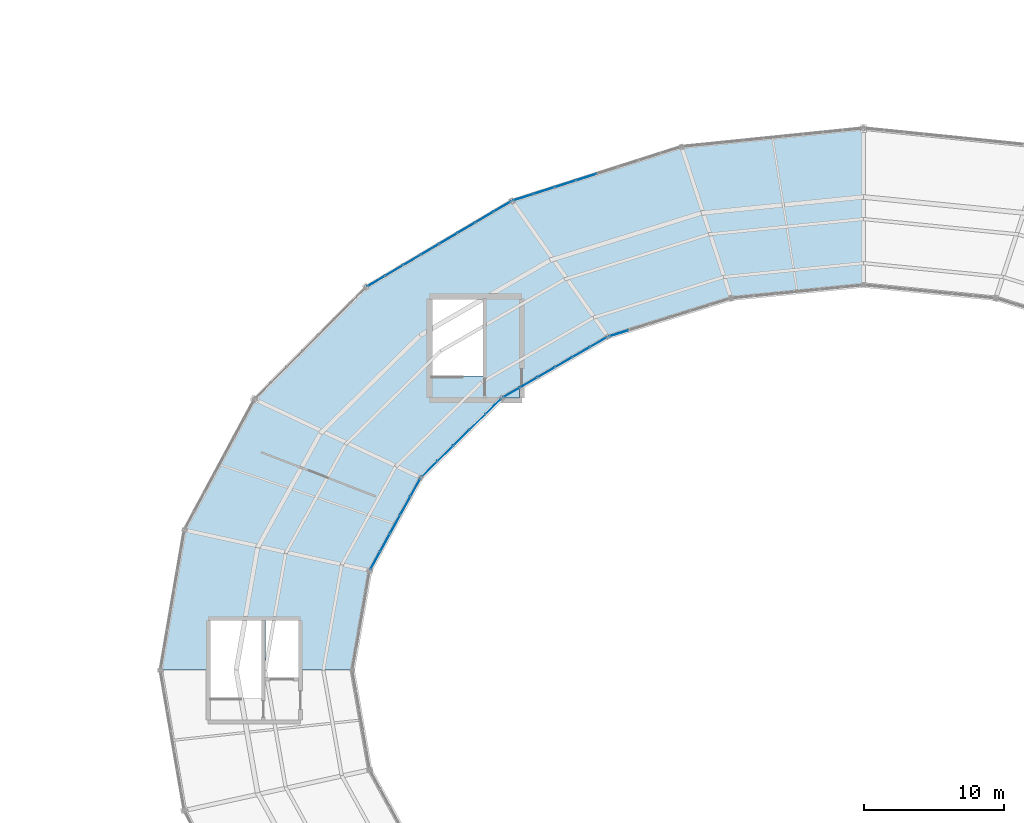
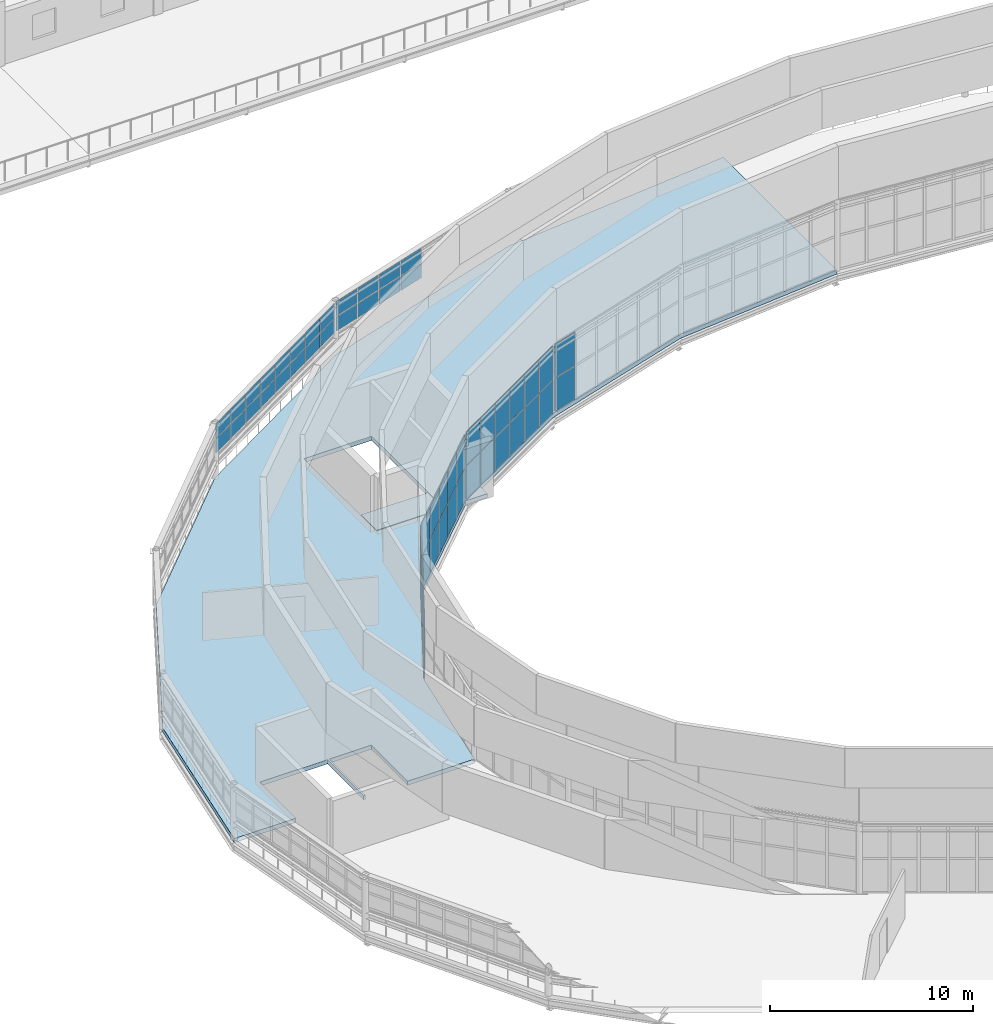
# One storey, part 83 of 123: 58 plates, 3 slabs, 6 elements without a shape of their own.
"""IFC4 building model written with IfcOpenShell, lengths in metres."""

from ifc_helpers import new_model, si_unit, direction, frame, origin, origin_2d, place, context, subcontext, project, spatial, polyline, rectangle, outline, extrude, material, layer, layer_set, type_object, element, aggregate, save


model = new_model("IFC4")

# Units and contexts
model_context = context("Model", 3, precision=1e-05, world=origin(), true_north=direction((0.0, 1.0)))
body_context = subcontext(model_context, "Body", "Model", "MODEL_VIEW")
ifc_project = project(units=[si_unit("LENGTHUNIT", "METRE"), si_unit("AREAUNIT", "SQUARE_METRE"), si_unit("VOLUMEUNIT", "CUBIC_METRE"), si_unit("PLANEANGLEUNIT", "RADIAN"), si_unit("MASSUNIT", "GRAM", prefix="KILO")], contexts=[model_context])

# Site, building, storey
site_placement = place(None, origin())
site = spatial("IfcSite", under=ifc_project, at=site_placement, CompositionType="ELEMENT")
building_placement = place(site_placement, origin())
building = spatial("IfcBuilding", under=site, at=building_placement, Name="Kildeholm Park Wholesale Market", CompositionType="ELEMENT")
storey_placement = place(building_placement, frame((0.0, 0.0, 9.60009765625)))
storey = spatial("IfcBuildingStorey", under=building, at=storey_placement, Name="L02", CompositionType="ELEMENT", Elevation=9.60009765625)

# Curtain wall, plates
ifc_material_1 = material(Name="Anodised aluminium and low-E double-glazed glass", Category="aluminium")
curtain_wall_type = type_object("IfcCurtainWallType", Name="Clerestory daylight stick curtain wall CW-02", PredefinedType="NOTDEFINED", material=ifc_material_1)
curtain_wall_1_placement = place(storey_placement, origin())
curtain_wall_1 = element("IfcCurtainWall", 1, at=curtain_wall_1_placement, inside=storey, type_object=curtain_wall_type, Name="Curtain wall CW-V1-IN2-07 CW-0038", PredefinedType="NOTDEFINED")
ifc_material_2 = material(Name="Triple-glazed solar-control glass", Category="glass")
ifc_layer_1 = layer(ifc_material_2, 0.035888671875)
ifc_layer_set_1 = layer_set([ifc_layer_1], Name="Triple-glazed solar-control glass")
plate_type_1 = type_object("IfcPlateType", Name="Curtain-wall panel CWP-2 36 mm", PredefinedType="CURTAIN_PANEL", material=ifc_layer_set_1)
plate_1_placement = place(storey_placement, frame((81.527587890625, 113.5625, 0.06005859375), z_axis=(0.0, 0.0, 1.0), x_axis=(-0.954579186683, -0.297957339818, 0.0)))
plate_1 = element("IfcPlate", 2, at=plate_1_placement, type_object=plate_type_1, Name="CW-02 panel 6.1 PLT-0690", PredefinedType="CURTAIN_PANEL", context=body_context, shape_type="SweptSolid", body=[
    extrude(rectangle(XDim=1.43359375, YDim=0.035888671875, at=origin_2d()), origin(), (0.0, 0.0, 1.0), 1.985107421875),
])
plate_2_placement = place(storey_placement, frame((81.527587890625, 113.5625, 2.10498046875), z_axis=(0.0, 0.0, 1.0), x_axis=(-0.954579186683, -0.297957339818, 0.0)))
plate_2 = element("IfcPlate", 3, at=plate_2_placement, type_object=plate_type_1, Name="CW-02 panel 6.2 PLT-0691", PredefinedType="CURTAIN_PANEL", context=body_context, shape_type="SweptSolid", body=[
    extrude(rectangle(XDim=1.43359375, YDim=0.035888671875, at=origin_2d()), origin(), (0.0, 0.0, 1.0), 1.985107421875),
])
aggregate(curtain_wall_1, [plate_1, plate_2])

curtain_wall_2_placement = place(storey_placement, origin())
curtain_wall_2 = element("IfcCurtainWall", 4, at=curtain_wall_2_placement, inside=storey, type_object=curtain_wall_type, Name="Curtain wall CW-V1-IN2-08 CW-0043", PredefinedType="NOTDEFINED")
plate_3_placement = place(storey_placement, frame((80.074951171875, 112.9306640625, 0.06005859375), z_axis=(0.0, 0.0, 1.0), x_axis=(-0.865742656621, -0.500489412982, 0.0)))
plate_3 = element("IfcPlate", 5, at=plate_3_placement, type_object=plate_type_1, Name="CW-02 panel 1.1 PLT-0750", PredefinedType="CURTAIN_PANEL", context=body_context, shape_type="SweptSolid", body=[
    extrude(rectangle(XDim=1.351806640625, YDim=0.035888671875, at=origin_2d()), origin(), (0.0, 0.0, 1.0), 1.985107421875),
])
plate_4_placement = place(storey_placement, frame((80.074951171875, 112.9306640625, 2.10498046875), z_axis=(0.0, 0.0, 1.0), x_axis=(-0.865742656621, -0.500489412982, 0.0)))
plate_4 = element("IfcPlate", 6, at=plate_4_placement, type_object=plate_type_1, Name="CW-02 panel 1.2 PLT-0751", PredefinedType="CURTAIN_PANEL", context=body_context, shape_type="SweptSolid", body=[
    extrude(rectangle(XDim=1.351806640625, YDim=0.035888671875, at=origin_2d()), origin(), (0.0, 0.0, 1.0), 1.985107421875),
])
plate_5_placement = place(storey_placement, frame((78.839599609375, 112.216552734375, 0.06005859375), z_axis=(0.0, 0.0, 1.0), x_axis=(-0.865742656621, -0.500489412982, 0.0)))
plate_5 = element("IfcPlate", 7, at=plate_5_placement, type_object=plate_type_1, Name="CW-02 panel 2.1 PLT-0752", PredefinedType="CURTAIN_PANEL", context=body_context, shape_type="SweptSolid", body=[
    extrude(rectangle(XDim=1.3818359375, YDim=0.035888671875, at=origin_2d()), origin(), (0.0, 0.0, 1.0), 1.985107421875),
])
plate_6_placement = place(storey_placement, frame((78.839599609375, 112.216552734375, 2.10498046875), z_axis=(0.0, 0.0, 1.0), x_axis=(-0.865742656621, -0.500489412982, 0.0)))
plate_6 = element("IfcPlate", 8, at=plate_6_placement, type_object=plate_type_1, Name="CW-02 panel 2.2 PLT-0753", PredefinedType="CURTAIN_PANEL", context=body_context, shape_type="SweptSolid", body=[
    extrude(rectangle(XDim=1.3818359375, YDim=0.035888671875, at=origin_2d()), origin(), (0.0, 0.0, 1.0), 1.985107421875),
])
plate_7_placement = place(storey_placement, frame((77.591064453125, 111.494873046875, 0.06005859375), z_axis=(0.0, 0.0, 1.0), x_axis=(-0.865742656621, -0.500489412982, 0.0)))
plate_7 = element("IfcPlate", 9, at=plate_7_placement, type_object=plate_type_1, Name="CW-02 panel 3.1 PLT-0754", PredefinedType="CURTAIN_PANEL", context=body_context, shape_type="SweptSolid", body=[
    extrude(rectangle(XDim=1.3818359375, YDim=0.035888671875, at=origin_2d()), origin(), (0.0, 0.0, 1.0), 1.985107421875),
])
plate_8_placement = place(storey_placement, frame((77.591064453125, 111.494873046875, 2.10498046875), z_axis=(0.0, 0.0, 1.0), x_axis=(-0.865742656621, -0.500489412982, 0.0)))
plate_8 = element("IfcPlate", 10, at=plate_8_placement, type_object=plate_type_1, Name="CW-02 panel 3.2 PLT-0755", PredefinedType="CURTAIN_PANEL", context=body_context, shape_type="SweptSolid", body=[
    extrude(rectangle(XDim=1.3818359375, YDim=0.035888671875, at=origin_2d()), origin(), (0.0, 0.0, 1.0), 1.985107421875),
])
plate_9_placement = place(storey_placement, frame((76.3427734375, 110.773193359375, 0.06005859375), z_axis=(0.0, 0.0, 1.0), x_axis=(-0.865742656621, -0.500489412982, 0.0)))
plate_9 = element("IfcPlate", 11, at=plate_9_placement, type_object=plate_type_1, Name="CW-02 panel 4.1 PLT-0756", PredefinedType="CURTAIN_PANEL", context=body_context, shape_type="SweptSolid", body=[
    extrude(rectangle(XDim=1.3818359375, YDim=0.035888671875, at=origin_2d()), origin(), (0.0, 0.0, 1.0), 1.985107421875),
])
plate_10_placement = place(storey_placement, frame((76.3427734375, 110.773193359375, 2.10498046875), z_axis=(0.0, 0.0, 1.0), x_axis=(-0.865742656621, -0.500489412982, 0.0)))
plate_10 = element("IfcPlate", 12, at=plate_10_placement, type_object=plate_type_1, Name="CW-02 panel 4.2 PLT-0757", PredefinedType="CURTAIN_PANEL", context=body_context, shape_type="SweptSolid", body=[
    extrude(rectangle(XDim=1.3818359375, YDim=0.035888671875, at=origin_2d()), origin(), (0.0, 0.0, 1.0), 1.985107421875),
])
plate_11_placement = place(storey_placement, frame((75.094482421875, 110.051513671875, 0.06005859375), z_axis=(0.0, 0.0, 1.0), x_axis=(-0.865742656621, -0.500489412982, 0.0)))
plate_11 = element("IfcPlate", 13, at=plate_11_placement, type_object=plate_type_1, Name="CW-02 panel 5.1 PLT-0758", PredefinedType="CURTAIN_PANEL", context=body_context, shape_type="SweptSolid", body=[
    extrude(rectangle(XDim=1.3818359375, YDim=0.035888671875, at=origin_2d()), origin(), (0.0, 0.0, 1.0), 1.985107421875),
])
plate_12_placement = place(storey_placement, frame((75.094482421875, 110.051513671875, 2.10498046875), z_axis=(0.0, 0.0, 1.0), x_axis=(-0.865742656621, -0.500489412982, 0.0)))
plate_12 = element("IfcPlate", 14, at=plate_12_placement, type_object=plate_type_1, Name="CW-02 panel 5.2 PLT-0759", PredefinedType="CURTAIN_PANEL", context=body_context, shape_type="SweptSolid", body=[
    extrude(rectangle(XDim=1.3818359375, YDim=0.035888671875, at=origin_2d()), origin(), (0.0, 0.0, 1.0), 1.985107421875),
])
plate_13_placement = place(storey_placement, frame((73.859130859375, 109.33740234375, 0.06005859375), z_axis=(0.0, 0.0, 1.0), x_axis=(-0.865742656621, -0.500489412982, 0.0)))
plate_13 = element("IfcPlate", 15, at=plate_13_placement, type_object=plate_type_1, Name="CW-02 panel 6.1 PLT-0760", PredefinedType="CURTAIN_PANEL", context=body_context, shape_type="SweptSolid", body=[
    extrude(rectangle(XDim=1.351806640625, YDim=0.035888671875, at=origin_2d()), origin(), (0.0, 0.0, 1.0), 1.985107421875),
])
plate_14_placement = place(storey_placement, frame((73.859130859375, 109.33740234375, 2.10498046875), z_axis=(0.0, 0.0, 1.0), x_axis=(-0.865742656621, -0.500489412982, 0.0)))
plate_14 = element("IfcPlate", 16, at=plate_14_placement, type_object=plate_type_1, Name="CW-02 panel 6.2 PLT-0761", PredefinedType="CURTAIN_PANEL", context=body_context, shape_type="SweptSolid", body=[
    extrude(rectangle(XDim=1.351806640625, YDim=0.035888671875, at=origin_2d()), origin(), (0.0, 0.0, 1.0), 1.985107421875),
])
aggregate(curtain_wall_2, [plate_3, plate_4, plate_5, plate_6, plate_7, plate_8, plate_9, plate_10, plate_11, plate_12, plate_13, plate_14])

curtain_wall_3_placement = place(storey_placement, origin())
curtain_wall_3 = element("IfcCurtainWall", 17, at=curtain_wall_3_placement, inside=storey, type_object=curtain_wall_type, Name="Curtain wall CW-V1-IN2-09 CW-0048", PredefinedType="NOTDEFINED")
plate_15_placement = place(storey_placement, frame((72.572021484375, 108.345703125, 0.06005859375), z_axis=(0.0, 0.0, 1.0), x_axis=(-0.713537995789, -0.700616534607, 0.0)))
plate_15 = element("IfcPlate", 18, at=plate_15_placement, type_object=plate_type_1, Name="CW-02 panel 1.1 PLT-0814", PredefinedType="CURTAIN_PANEL", context=body_context, shape_type="SweptSolid", body=[
    extrude(rectangle(XDim=1.519775390625, YDim=0.035888671875, at=origin_2d()), origin(), (0.0, 0.0, 1.0), 1.985107421875),
])
plate_16_placement = place(storey_placement, frame((72.572021484375, 108.345703125, 2.10498046875), z_axis=(0.0, 0.0, 1.0), x_axis=(-0.713537995789, -0.700616534607, 0.0)))
plate_16 = element("IfcPlate", 19, at=plate_16_placement, type_object=plate_type_1, Name="CW-02 panel 1.2 PLT-0815", PredefinedType="CURTAIN_PANEL", context=body_context, shape_type="SweptSolid", body=[
    extrude(rectangle(XDim=1.519775390625, YDim=0.035888671875, at=origin_2d()), origin(), (0.0, 0.0, 1.0), 1.985107421875),
])
plate_17_placement = place(storey_placement, frame((71.43408203125, 107.228271484375, 0.06005859375), z_axis=(0.0, 0.0, 1.0), x_axis=(-0.713537995789, -0.700616534607, 0.0)))
plate_17 = element("IfcPlate", 20, at=plate_17_placement, type_object=plate_type_1, Name="CW-02 panel 2.1 PLT-0816", PredefinedType="CURTAIN_PANEL", context=body_context, shape_type="SweptSolid", body=[
    extrude(rectangle(XDim=1.5498046875, YDim=0.035888671875, at=origin_2d()), origin(), (0.0, 0.0, 1.0), 1.985107421875),
])
plate_18_placement = place(storey_placement, frame((71.43408203125, 107.228271484375, 2.10498046875), z_axis=(0.0, 0.0, 1.0), x_axis=(-0.713537995789, -0.700616534607, 0.0)))
plate_18 = element("IfcPlate", 21, at=plate_18_placement, type_object=plate_type_1, Name="CW-02 panel 2.2 PLT-0817", PredefinedType="CURTAIN_PANEL", context=body_context, shape_type="SweptSolid", body=[
    extrude(rectangle(XDim=1.5498046875, YDim=0.035888671875, at=origin_2d()), origin(), (0.0, 0.0, 1.0), 1.985107421875),
])
plate_19_placement = place(storey_placement, frame((70.285400390625, 106.1005859375, 0.06005859375), z_axis=(0.0, 0.0, 1.0), x_axis=(-0.713537995789, -0.700616534607, 0.0)))
plate_19 = element("IfcPlate", 22, at=plate_19_placement, type_object=plate_type_1, Name="CW-02 panel 3.1 PLT-0818", PredefinedType="CURTAIN_PANEL", context=body_context, shape_type="SweptSolid", body=[
    extrude(rectangle(XDim=1.5498046875, YDim=0.035888671875, at=origin_2d()), origin(), (0.0, 0.0, 1.0), 1.985107421875),
])
plate_20_placement = place(storey_placement, frame((70.285400390625, 106.1005859375, 2.10498046875), z_axis=(0.0, 0.0, 1.0), x_axis=(-0.713537995789, -0.700616534607, 0.0)))
plate_20 = element("IfcPlate", 23, at=plate_20_placement, type_object=plate_type_1, Name="CW-02 panel 3.2 PLT-0819", PredefinedType="CURTAIN_PANEL", context=body_context, shape_type="SweptSolid", body=[
    extrude(rectangle(XDim=1.5498046875, YDim=0.035888671875, at=origin_2d()), origin(), (0.0, 0.0, 1.0), 1.985107421875),
])
plate_21_placement = place(storey_placement, frame((69.136962890625, 104.97265625, 0.06005859375), z_axis=(0.0, 0.0, 1.0), x_axis=(-0.713537995789, -0.700616534607, 0.0)))
plate_21 = element("IfcPlate", 24, at=plate_21_placement, type_object=plate_type_1, Name="CW-02 panel 4.1 PLT-0820", PredefinedType="CURTAIN_PANEL", context=body_context, shape_type="SweptSolid", body=[
    extrude(rectangle(XDim=1.5498046875, YDim=0.035888671875, at=origin_2d()), origin(), (0.0, 0.0, 1.0), 1.985107421875),
])
plate_22_placement = place(storey_placement, frame((69.136962890625, 104.97265625, 2.10498046875), z_axis=(0.0, 0.0, 1.0), x_axis=(-0.713537995789, -0.700616534607, 0.0)))
plate_22 = element("IfcPlate", 25, at=plate_22_placement, type_object=plate_type_1, Name="CW-02 panel 4.2 PLT-0821", PredefinedType="CURTAIN_PANEL", context=body_context, shape_type="SweptSolid", body=[
    extrude(rectangle(XDim=1.5498046875, YDim=0.035888671875, at=origin_2d()), origin(), (0.0, 0.0, 1.0), 1.985107421875),
])
plate_23_placement = place(storey_placement, frame((67.9990234375, 103.85546875, 0.06005859375), z_axis=(0.0, 0.0, 1.0), x_axis=(-0.713537995789, -0.700616534607, 0.0)))
plate_23 = element("IfcPlate", 26, at=plate_23_placement, type_object=plate_type_1, Name="CW-02 panel 5.1 PLT-0822", PredefinedType="CURTAIN_PANEL", context=body_context, shape_type="SweptSolid", body=[
    extrude(rectangle(XDim=1.519775390625, YDim=0.035888671875, at=origin_2d()), origin(), (0.0, 0.0, 1.0), 1.985107421875),
])
plate_24_placement = place(storey_placement, frame((67.9990234375, 103.85546875, 2.10498046875), z_axis=(0.0, 0.0, 1.0), x_axis=(-0.713537995789, -0.700616534607, 0.0)))
plate_24 = element("IfcPlate", 27, at=plate_24_placement, type_object=plate_type_1, Name="CW-02 panel 5.2 PLT-0823", PredefinedType="CURTAIN_PANEL", context=body_context, shape_type="SweptSolid", body=[
    extrude(rectangle(XDim=1.519775390625, YDim=0.035888671875, at=origin_2d()), origin(), (0.0, 0.0, 1.0), 1.985107421875),
])
aggregate(curtain_wall_3, [plate_15, plate_16, plate_17, plate_18, plate_19, plate_20, plate_21, plate_22, plate_23, plate_24])

curtain_wall_4_placement = place(storey_placement, origin())
curtain_wall_4 = element("IfcCurtainWall", 28, at=curtain_wall_4_placement, inside=storey, type_object=curtain_wall_type, Name="Curtain wall CW-V1-IN2-10 CW-0053", PredefinedType="NOTDEFINED")
plate_25_placement = place(storey_placement, frame((66.9970703125, 102.547607421875, 0.06005859375), z_axis=(0.0, 0.0, 1.0), x_axis=(-0.481749595055, -0.876308922506, 0.0)))
plate_25 = element("IfcPlate", 29, at=plate_25_placement, type_object=plate_type_1, Name="CW-02 panel 1.1 PLT-0874", PredefinedType="CURTAIN_PANEL", context=body_context, shape_type="SweptSolid", body=[
    extrude(rectangle(XDim=1.407958984375, YDim=0.035888671875, at=origin_2d()), origin(), (0.0, 0.0, 1.0), 1.985107421875),
])
plate_26_placement = place(storey_placement, frame((66.9970703125, 102.547607421875, 2.10498046875), z_axis=(0.0, 0.0, 1.0), x_axis=(-0.481749595055, -0.876308922506, 0.0)))
plate_26 = element("IfcPlate", 30, at=plate_26_placement, type_object=plate_type_1, Name="CW-02 panel 1.2 PLT-0875", PredefinedType="CURTAIN_PANEL", context=body_context, shape_type="SweptSolid", body=[
    extrude(rectangle(XDim=1.407958984375, YDim=0.035888671875, at=origin_2d()), origin(), (0.0, 0.0, 1.0), 1.985107421875),
])
plate_27_placement = place(storey_placement, frame((66.28271484375, 101.248046875, 0.06005859375), z_axis=(0.0, 0.0, 1.0), x_axis=(-0.481749595055, -0.876308922506, 0.0)))
plate_27 = element("IfcPlate", 31, at=plate_27_placement, type_object=plate_type_1, Name="CW-02 panel 2.1 PLT-0876", PredefinedType="CURTAIN_PANEL", context=body_context, shape_type="SweptSolid", body=[
    extrude(rectangle(XDim=1.43798828125, YDim=0.035888671875, at=origin_2d()), origin(), (0.0, 0.0, 1.0), 1.985107421875),
])
plate_28_placement = place(storey_placement, frame((66.28271484375, 101.248046875, 2.10498046875), z_axis=(0.0, 0.0, 1.0), x_axis=(-0.481749595055, -0.876308922506, 0.0)))
plate_28 = element("IfcPlate", 32, at=plate_28_placement, type_object=plate_type_1, Name="CW-02 panel 2.2 PLT-0877", PredefinedType="CURTAIN_PANEL", context=body_context, shape_type="SweptSolid", body=[
    extrude(rectangle(XDim=1.43798828125, YDim=0.035888671875, at=origin_2d()), origin(), (0.0, 0.0, 1.0), 1.985107421875),
])
plate_29_placement = place(storey_placement, frame((65.56103515625, 99.935546875, 0.06005859375), z_axis=(0.0, 0.0, 1.0), x_axis=(-0.481749595055, -0.876308922506, 0.0)))
plate_29 = element("IfcPlate", 33, at=plate_29_placement, type_object=plate_type_1, Name="CW-02 panel 3.1 PLT-0878", PredefinedType="CURTAIN_PANEL", context=body_context, shape_type="SweptSolid", body=[
    extrude(rectangle(XDim=1.43798828125, YDim=0.035888671875, at=origin_2d()), origin(), (0.0, 0.0, 1.0), 1.985107421875),
])
plate_30_placement = place(storey_placement, frame((65.56103515625, 99.935546875, 2.10498046875), z_axis=(0.0, 0.0, 1.0), x_axis=(-0.481749595055, -0.876308922506, 0.0)))
plate_30 = element("IfcPlate", 34, at=plate_30_placement, type_object=plate_type_1, Name="CW-02 panel 3.2 PLT-0879", PredefinedType="CURTAIN_PANEL", context=body_context, shape_type="SweptSolid", body=[
    extrude(rectangle(XDim=1.43798828125, YDim=0.035888671875, at=origin_2d()), origin(), (0.0, 0.0, 1.0), 1.985107421875),
])
plate_31_placement = place(storey_placement, frame((64.83935546875, 98.622802734375, 0.06005859375), z_axis=(0.0, 0.0, 1.0), x_axis=(-0.481749595055, -0.876308922506, 0.0)))
plate_31 = element("IfcPlate", 35, at=plate_31_placement, type_object=plate_type_1, Name="CW-02 panel 4.1 PLT-0880", PredefinedType="CURTAIN_PANEL", context=body_context, shape_type="SweptSolid", body=[
    extrude(rectangle(XDim=1.43798828125, YDim=0.035888671875, at=origin_2d()), origin(), (0.0, 0.0, 1.0), 1.985107421875),
])
plate_32_placement = place(storey_placement, frame((64.83935546875, 98.622802734375, 2.10498046875), z_axis=(0.0, 0.0, 1.0), x_axis=(-0.481749595055, -0.876308922506, 0.0)))
plate_32 = element("IfcPlate", 36, at=plate_32_placement, type_object=plate_type_1, Name="CW-02 panel 4.2 PLT-0881", PredefinedType="CURTAIN_PANEL", context=body_context, shape_type="SweptSolid", body=[
    extrude(rectangle(XDim=1.43798828125, YDim=0.035888671875, at=origin_2d()), origin(), (0.0, 0.0, 1.0), 1.985107421875),
])
plate_33_placement = place(storey_placement, frame((64.125, 97.323486328125, 0.06005859375), z_axis=(0.0, 0.0, 1.0), x_axis=(-0.481749595055, -0.876308922506, 0.0)))
plate_33 = element("IfcPlate", 37, at=plate_33_placement, type_object=plate_type_1, Name="CW-02 panel 5.1 PLT-0882", PredefinedType="CURTAIN_PANEL", context=body_context, shape_type="SweptSolid", body=[
    extrude(rectangle(XDim=1.407958984375, YDim=0.035888671875, at=origin_2d()), origin(), (0.0, 0.0, 1.0), 1.985107421875),
])
plate_34_placement = place(storey_placement, frame((64.125, 97.323486328125, 2.10498046875), z_axis=(0.0, 0.0, 1.0), x_axis=(-0.481749595055, -0.876308922506, 0.0)))
plate_34 = element("IfcPlate", 38, at=plate_34_placement, type_object=plate_type_1, Name="CW-02 panel 5.2 PLT-0883", PredefinedType="CURTAIN_PANEL", context=body_context, shape_type="SweptSolid", body=[
    extrude(rectangle(XDim=1.407958984375, YDim=0.035888671875, at=origin_2d()), origin(), (0.0, 0.0, 1.0), 1.985107421875),
])
aggregate(curtain_wall_4, [plate_25, plate_26, plate_27, plate_28, plate_29, plate_30, plate_31, plate_32, plate_33, plate_34])

curtain_wall_5_placement = place(storey_placement, origin())
curtain_wall_5 = element("IfcCurtainWall", 39, at=curtain_wall_5_placement, inside=storey, type_object=curtain_wall_type, Name="Curtain wall CW-V1-CL-07 CW-0036", PredefinedType="NOTDEFINED")
ifc_material_3 = material(Name="Fritted solar-control clerestory glass", Category="glass")
ifc_layer_2 = layer(ifc_material_3, 0.031982421875)
ifc_layer_set_2 = layer_set([ifc_layer_2], Name="Fritted solar-control clerestory glass")
plate_type_2 = type_object("IfcPlateType", Name="Curtain-wall panel CWP-4 32 mm", PredefinedType="CURTAIN_PANEL", material=ifc_layer_set_2)
plate_35_placement = place(storey_placement, frame((79.199462890625, 124.7119140625, 1.40966796875), z_axis=(0.0, 0.0, 1.0), x_axis=(-0.952606009241, -0.304206822997, 0.0)))
plate_35 = element("IfcPlate", 40, at=plate_35_placement, type_object=plate_type_2, Name="CW-02 panel 5.1 PLT-0660", PredefinedType="CURTAIN_PANEL", context=body_context, shape_type="SweptSolid", body=[
    extrude(rectangle(XDim=1.518798828125, YDim=0.031982421875, at=origin_2d()), origin(), (0.0, 0.0, 1.0), 0.860107421875),
])
plate_36_placement = place(storey_placement, frame((79.199462890625, 124.7119140625, 2.330078125), z_axis=(0.0, 0.0, 1.0), x_axis=(-0.952606009241, -0.304206822997, 0.0)))
plate_36 = element("IfcPlate", 41, at=plate_36_placement, type_object=plate_type_2, Name="CW-02 panel 5.2 PLT-0661", PredefinedType="CURTAIN_PANEL", context=body_context, shape_type="SweptSolid", body=[
    extrude(rectangle(XDim=1.518798828125, YDim=0.031982421875, at=origin_2d()), origin(), (0.0, 0.0, 1.0), 0.860107421875),
])
plate_37_placement = place(storey_placement, frame((77.69580078125, 124.231689453125, 1.40966796875), z_axis=(0.0, 0.0, 1.0), x_axis=(-0.952606009241, -0.304206822997, 0.0)))
plate_37 = element("IfcPlate", 42, at=plate_37_placement, type_object=plate_type_2, Name="CW-02 panel 6.1 PLT-0662", PredefinedType="CURTAIN_PANEL", context=body_context, shape_type="SweptSolid", body=[
    extrude(rectangle(XDim=1.518798828125, YDim=0.031982421875, at=origin_2d()), origin(), (0.0, 0.0, 1.0), 0.860107421875),
])
plate_38_placement = place(storey_placement, frame((77.69580078125, 124.231689453125, 2.330078125), z_axis=(0.0, 0.0, 1.0), x_axis=(-0.952606009241, -0.304206822997, 0.0)))
plate_38 = element("IfcPlate", 43, at=plate_38_placement, type_object=plate_type_2, Name="CW-02 panel 6.2 PLT-0663", PredefinedType="CURTAIN_PANEL", context=body_context, shape_type="SweptSolid", body=[
    extrude(rectangle(XDim=1.518798828125, YDim=0.031982421875, at=origin_2d()), origin(), (0.0, 0.0, 1.0), 0.860107421875),
])
plate_39_placement = place(storey_placement, frame((76.19189453125, 123.75146484375, 1.40966796875), z_axis=(0.0, 0.0, 1.0), x_axis=(-0.952606009241, -0.304206822997, 0.0)))
plate_39 = element("IfcPlate", 44, at=plate_39_placement, type_object=plate_type_2, Name="CW-02 panel 7.1 PLT-0664", PredefinedType="CURTAIN_PANEL", context=body_context, shape_type="SweptSolid", body=[
    extrude(rectangle(XDim=1.518798828125, YDim=0.031982421875, at=origin_2d()), origin(), (0.0, 0.0, 1.0), 0.860107421875),
])
plate_40_placement = place(storey_placement, frame((76.19189453125, 123.75146484375, 2.330078125), z_axis=(0.0, 0.0, 1.0), x_axis=(-0.952606009241, -0.304206822997, 0.0)))
plate_40 = element("IfcPlate", 45, at=plate_40_placement, type_object=plate_type_2, Name="CW-02 panel 7.2 PLT-0665", PredefinedType="CURTAIN_PANEL", context=body_context, shape_type="SweptSolid", body=[
    extrude(rectangle(XDim=1.518798828125, YDim=0.031982421875, at=origin_2d()), origin(), (0.0, 0.0, 1.0), 0.860107421875),
])
plate_41_placement = place(storey_placement, frame((74.7021484375, 123.275634765625, 1.40966796875), z_axis=(0.0, 0.0, 1.0), x_axis=(-0.952606009241, -0.304206822997, 0.0)))
plate_41 = element("IfcPlate", 46, at=plate_41_placement, type_object=plate_type_2, Name="CW-02 panel 8.1 PLT-0666", PredefinedType="CURTAIN_PANEL", context=body_context, shape_type="SweptSolid", body=[
    extrude(rectangle(XDim=1.48876953125, YDim=0.031982421875, at=origin_2d()), origin(), (0.0, 0.0, 1.0), 0.860107421875),
])
plate_42_placement = place(storey_placement, frame((74.7021484375, 123.275634765625, 2.330078125), z_axis=(0.0, 0.0, 1.0), x_axis=(-0.952606009241, -0.304206822997, 0.0)))
plate_42 = element("IfcPlate", 47, at=plate_42_placement, type_object=plate_type_2, Name="CW-02 panel 8.2 PLT-0667", PredefinedType="CURTAIN_PANEL", context=body_context, shape_type="SweptSolid", body=[
    extrude(rectangle(XDim=1.48876953125, YDim=0.031982421875, at=origin_2d()), origin(), (0.0, 0.0, 1.0), 0.860107421875),
])
aggregate(curtain_wall_5, [plate_35, plate_36, plate_37, plate_38, plate_39, plate_40, plate_41, plate_42])

curtain_wall_6_placement = place(storey_placement, origin())
curtain_wall_6 = element("IfcCurtainWall", 48, at=curtain_wall_6_placement, inside=storey, type_object=curtain_wall_type, Name="Curtain wall CW-V1-CL-08 CW-0040", PredefinedType="NOTDEFINED")
plate_43_placement = place(storey_placement, frame((73.20361328125, 122.608642578125, 1.40966796875), z_axis=(0.0, 0.0, 1.0), x_axis=(-0.860704129033, -0.509105492275, 0.0)))
plate_43 = element("IfcPlate", 49, at=plate_43_placement, type_object=plate_type_2, Name="CW-02 panel 1.1 PLT-0710", PredefinedType="CURTAIN_PANEL", context=body_context, shape_type="SweptSolid", body=[
    extrude(rectangle(XDim=1.409912109375, YDim=0.031982421875, at=origin_2d()), origin(), (0.0, 0.0, 1.0), 0.860107421875),
])
plate_44_placement = place(storey_placement, frame((73.20361328125, 122.608642578125, 2.330078125), z_axis=(0.0, 0.0, 1.0), x_axis=(-0.860704129033, -0.509105492275, 0.0)))
plate_44 = element("IfcPlate", 50, at=plate_44_placement, type_object=plate_type_2, Name="CW-02 panel 1.2 PLT-0711", PredefinedType="CURTAIN_PANEL", context=body_context, shape_type="SweptSolid", body=[
    extrude(rectangle(XDim=1.409912109375, YDim=0.031982421875, at=origin_2d()), origin(), (0.0, 0.0, 1.0), 0.860107421875),
])
plate_45_placement = place(storey_placement, frame((71.925537109375, 121.8525390625, 1.40966796875), z_axis=(0.0, 0.0, 1.0), x_axis=(-0.860704129033, -0.509105492275, 0.0)))
plate_45 = element("IfcPlate", 51, at=plate_45_placement, type_object=plate_type_2, Name="CW-02 panel 2.1 PLT-0712", PredefinedType="CURTAIN_PANEL", context=body_context, shape_type="SweptSolid", body=[
    extrude(rectangle(XDim=1.43994140625, YDim=0.031982421875, at=origin_2d()), origin(), (0.0, 0.0, 1.0), 0.860107421875),
])
plate_46_placement = place(storey_placement, frame((71.925537109375, 121.8525390625, 2.330078125), z_axis=(0.0, 0.0, 1.0), x_axis=(-0.860704129033, -0.509105492275, 0.0)))
plate_46 = element("IfcPlate", 52, at=plate_46_placement, type_object=plate_type_2, Name="CW-02 panel 2.2 PLT-0713", PredefinedType="CURTAIN_PANEL", context=body_context, shape_type="SweptSolid", body=[
    extrude(rectangle(XDim=1.43994140625, YDim=0.031982421875, at=origin_2d()), origin(), (0.0, 0.0, 1.0), 0.860107421875),
])
plate_47_placement = place(storey_placement, frame((70.634521484375, 121.0888671875, 1.40966796875), z_axis=(0.0, 0.0, 1.0), x_axis=(-0.860704129033, -0.509105492275, 0.0)))
plate_47 = element("IfcPlate", 53, at=plate_47_placement, type_object=plate_type_2, Name="CW-02 panel 3.1 PLT-0714", PredefinedType="CURTAIN_PANEL", context=body_context, shape_type="SweptSolid", body=[
    extrude(rectangle(XDim=1.43994140625, YDim=0.031982421875, at=origin_2d()), origin(), (0.0, 0.0, 1.0), 0.860107421875),
])
plate_48_placement = place(storey_placement, frame((70.634521484375, 121.0888671875, 2.330078125), z_axis=(0.0, 0.0, 1.0), x_axis=(-0.860704129033, -0.509105492275, 0.0)))
plate_48 = element("IfcPlate", 54, at=plate_48_placement, type_object=plate_type_2, Name="CW-02 panel 3.2 PLT-0715", PredefinedType="CURTAIN_PANEL", context=body_context, shape_type="SweptSolid", body=[
    extrude(rectangle(XDim=1.43994140625, YDim=0.031982421875, at=origin_2d()), origin(), (0.0, 0.0, 1.0), 0.860107421875),
])
plate_49_placement = place(storey_placement, frame((69.343505859375, 120.3251953125, 1.40966796875), z_axis=(0.0, 0.0, 1.0), x_axis=(-0.860704129033, -0.509105492275, 0.0)))
plate_49 = element("IfcPlate", 55, at=plate_49_placement, type_object=plate_type_2, Name="CW-02 panel 4.1 PLT-0716", PredefinedType="CURTAIN_PANEL", context=body_context, shape_type="SweptSolid", body=[
    extrude(rectangle(XDim=1.43994140625, YDim=0.031982421875, at=origin_2d()), origin(), (0.0, 0.0, 1.0), 0.860107421875),
])
plate_50_placement = place(storey_placement, frame((69.343505859375, 120.3251953125, 2.330078125), z_axis=(0.0, 0.0, 1.0), x_axis=(-0.860704129033, -0.509105492275, 0.0)))
plate_50 = element("IfcPlate", 56, at=plate_50_placement, type_object=plate_type_2, Name="CW-02 panel 4.2 PLT-0717", PredefinedType="CURTAIN_PANEL", context=body_context, shape_type="SweptSolid", body=[
    extrude(rectangle(XDim=1.43994140625, YDim=0.031982421875, at=origin_2d()), origin(), (0.0, 0.0, 1.0), 0.860107421875),
])
plate_51_placement = place(storey_placement, frame((68.052490234375, 119.561767578125, 1.40966796875), z_axis=(0.0, 0.0, 1.0), x_axis=(-0.860704129033, -0.509105492275, 0.0)))
plate_51 = element("IfcPlate", 57, at=plate_51_placement, type_object=plate_type_2, Name="CW-02 panel 5.1 PLT-0718", PredefinedType="CURTAIN_PANEL", context=body_context, shape_type="SweptSolid", body=[
    extrude(rectangle(XDim=1.43994140625, YDim=0.031982421875, at=origin_2d()), origin(), (0.0, 0.0, 1.0), 0.860107421875),
])
plate_52_placement = place(storey_placement, frame((68.052490234375, 119.561767578125, 2.330078125), z_axis=(0.0, 0.0, 1.0), x_axis=(-0.860704129033, -0.509105492275, 0.0)))
plate_52 = element("IfcPlate", 58, at=plate_52_placement, type_object=plate_type_2, Name="CW-02 panel 5.2 PLT-0719", PredefinedType="CURTAIN_PANEL", context=body_context, shape_type="SweptSolid", body=[
    extrude(rectangle(XDim=1.43994140625, YDim=0.031982421875, at=origin_2d()), origin(), (0.0, 0.0, 1.0), 0.860107421875),
])
plate_53_placement = place(storey_placement, frame((66.761474609375, 118.798095703125, 1.40966796875), z_axis=(0.0, 0.0, 1.0), x_axis=(-0.860704129033, -0.509105492275, 0.0)))
plate_53 = element("IfcPlate", 59, at=plate_53_placement, type_object=plate_type_2, Name="CW-02 panel 6.1 PLT-0720", PredefinedType="CURTAIN_PANEL", context=body_context, shape_type="SweptSolid", body=[
    extrude(rectangle(XDim=1.43994140625, YDim=0.031982421875, at=origin_2d()), origin(), (0.0, 0.0, 1.0), 0.860107421875),
])
plate_54_placement = place(storey_placement, frame((66.761474609375, 118.798095703125, 2.330078125), z_axis=(0.0, 0.0, 1.0), x_axis=(-0.860704129033, -0.509105492275, 0.0)))
plate_54 = element("IfcPlate", 60, at=plate_54_placement, type_object=plate_type_2, Name="CW-02 panel 6.2 PLT-0721", PredefinedType="CURTAIN_PANEL", context=body_context, shape_type="SweptSolid", body=[
    extrude(rectangle(XDim=1.43994140625, YDim=0.031982421875, at=origin_2d()), origin(), (0.0, 0.0, 1.0), 0.860107421875),
])
plate_55_placement = place(storey_placement, frame((65.470458984375, 118.034423828125, 1.40966796875), z_axis=(0.0, 0.0, 1.0), x_axis=(-0.860704129033, -0.509105492275, 0.0)))
plate_55 = element("IfcPlate", 61, at=plate_55_placement, type_object=plate_type_2, Name="CW-02 panel 7.1 PLT-0722", PredefinedType="CURTAIN_PANEL", context=body_context, shape_type="SweptSolid", body=[
    extrude(rectangle(XDim=1.43994140625, YDim=0.031982421875, at=origin_2d()), origin(), (0.0, 0.0, 1.0), 0.860107421875),
])
plate_56_placement = place(storey_placement, frame((65.470458984375, 118.034423828125, 2.330078125), z_axis=(0.0, 0.0, 1.0), x_axis=(-0.860704129033, -0.509105492275, 0.0)))
plate_56 = element("IfcPlate", 62, at=plate_56_placement, type_object=plate_type_2, Name="CW-02 panel 7.2 PLT-0723", PredefinedType="CURTAIN_PANEL", context=body_context, shape_type="SweptSolid", body=[
    extrude(rectangle(XDim=1.43994140625, YDim=0.031982421875, at=origin_2d()), origin(), (0.0, 0.0, 1.0), 0.860107421875),
])
plate_57_placement = place(storey_placement, frame((64.1923828125, 117.278564453125, 1.40966796875), z_axis=(0.0, 0.0, 1.0), x_axis=(-0.860704129033, -0.509105492275, 0.0)))
plate_57 = element("IfcPlate", 63, at=plate_57_placement, type_object=plate_type_2, Name="CW-02 panel 8.1 PLT-0724", PredefinedType="CURTAIN_PANEL", context=body_context, shape_type="SweptSolid", body=[
    extrude(rectangle(XDim=1.409912109375, YDim=0.031982421875, at=origin_2d()), origin(), (0.0, 0.0, 1.0), 0.860107421875),
])
plate_58_placement = place(storey_placement, frame((64.1923828125, 117.278564453125, 2.330078125), z_axis=(0.0, 0.0, 1.0), x_axis=(-0.860704129033, -0.509105492275, 0.0)))
plate_58 = element("IfcPlate", 64, at=plate_58_placement, type_object=plate_type_2, Name="CW-02 panel 8.2 PLT-0725", PredefinedType="CURTAIN_PANEL", context=body_context, shape_type="SweptSolid", body=[
    extrude(rectangle(XDim=1.409912109375, YDim=0.031982421875, at=origin_2d()), origin(), (0.0, 0.0, 1.0), 0.860107421875),
])
aggregate(curtain_wall_6, [plate_43, plate_44, plate_45, plate_46, plate_47, plate_48, plate_49, plate_50, plate_51, plate_52, plate_53, plate_54, plate_55, plate_56, plate_57, plate_58])

# Slabs
ifc_material_4 = material(Name="Concrete C35/45", Category="concrete")
ifc_layer_3 = layer(ifc_material_4, 0.25)
ifc_layer_set_3 = layer_set([ifc_layer_3], Name="Concrete C35/45")
slab_type_1 = type_object("IfcSlabType", Name="Slab S-FL1 250 mm", PredefinedType="FLOOR", material=ifc_layer_set_3)
slab_1_placement = place(storey_placement, frame((0.0, 0.0, -0.25)))
element("IfcSlab", 65, at=slab_1_placement, inside=storey, type_object=slab_type_1, Name="Produce hall L02 inner ring slab quadrant 2 SLB-0006", PredefinedType="FLOOR", context=body_context, shape_type="SweptSolid", body=[
    extrude(outline(polyline([(48.800048828125, 89.5), (50.510986328125, 99.51611328125), (55.52587890625, 108.85009765625), (63.5029296875, 116.864990234375), (73.89990234375, 123.014892578125), (86.007080078125, 126.881103515625), (99.0, 128.199951171875), (99.0, 117.0), (89.552978515625, 116.06298828125), (80.75, 113.31591796875), (73.19091796875, 108.945068359375), (67.389892578125, 103.25), (63.743896484375, 96.617919921875), (62.5, 89.5), (58.679931640625, 89.5), (58.679931640625, 93.080078125), (56.280029296875, 93.080078125), (56.280029296875, 89.5), (56.179931640625, 89.5), (56.179931640625, 93.080078125), (52.320068359375, 93.080078125), (52.320068359375, 89.5), (48.800048828125, 89.5)]), holes=[polyline([(71.97998046875, 108.919921875), (71.97998046875, 116.080078125), (68.1201171875, 116.080078125), (68.1201171875, 108.919921875), (71.97998046875, 108.919921875)])]), origin(), (0.0, 0.0, 1.0), 0.25),
])
ifc_layer_4 = layer(ifc_material_4, 0.239990234375)
ifc_layer_set_4 = layer_set([ifc_layer_4], Name="Concrete C35/45")
slab_type_2 = type_object("IfcSlabType", Name="Stair landing slab S-LD1 240 mm", PredefinedType="LANDING", material=ifc_layer_set_4)
slab_2_placement = place(storey_placement, frame((0.0, 0.0, -0.239990234375)))
element("IfcSlab", 66, at=slab_2_placement, inside=storey, type_object=slab_type_2, Name="Core C11 lobby floor slab L02-2 SLB-0467", PredefinedType="LANDING", context=body_context, shape_type="SweptSolid", body=[
    extrude(outline(polyline([(74.449951171875, 108.949951171875), (73.2099609375, 108.949951171875), (74.449951171875, 109.6669921875), (74.449951171875, 108.949951171875)])), origin(), (0.0, 0.0, 1.0), 0.239990234375),
])
slab_3_placement = place(storey_placement, frame((0.0, 0.0, -0.239990234375)))
element("IfcSlab", 67, at=slab_3_placement, inside=storey, type_object=slab_type_2, Name="Core C11 stair landing slab L02 SLB-0468", PredefinedType="LANDING", context=body_context, shape_type="SweptSolid", body=[
    extrude(outline(polyline([(68.14990234375, 108.949951171875), (71.949951171875, 108.949951171875), (71.949951171875, 110.5), (68.14990234375, 110.5), (68.14990234375, 108.949951171875)])), origin(), (0.0, 0.0, 1.0), 0.239990234375),
])

save(model, "model.ifc")
